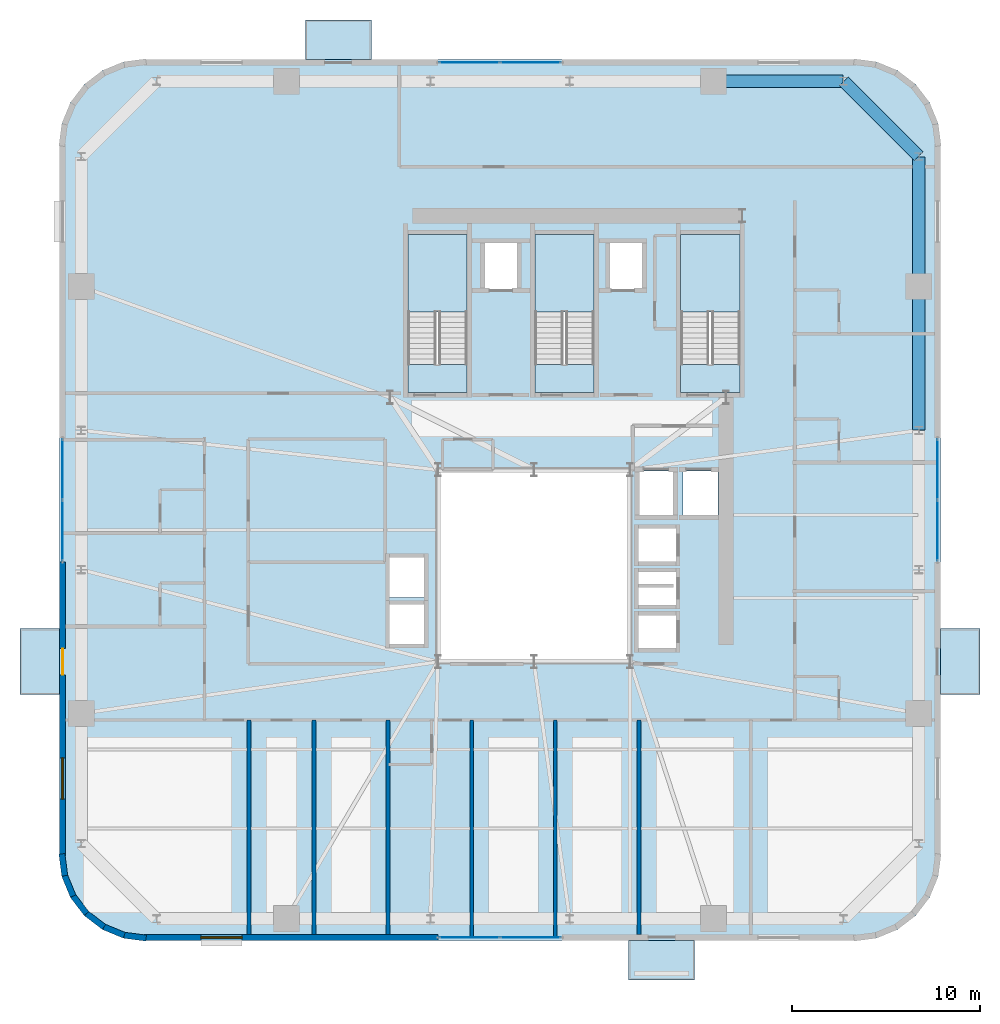
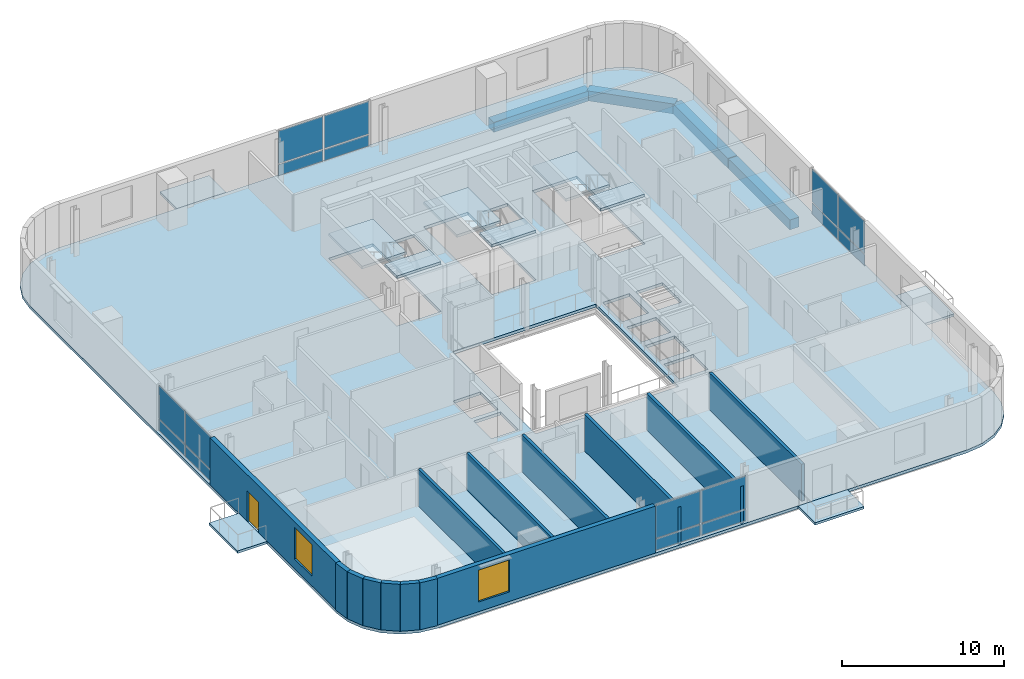
# One storey, part 6 of 12: 16 plates, 14 walls, 11 slabs, 4 beams, 2 windows, 1 door, 3 openings, 7 elements without a shape of their own.
"""IFC4 building model written with IfcOpenShell, lengths in metres."""

import ifcopenshell
import ifcopenshell.guid

model = None  # the IFC model being written
_history = None  # IfcOwnerHistory: only IFC2X3 demands one
_inside = {}  # id of a spatial element -> (the spatial element, [elements in it])
_under = {}  # id of a project, library or spatial element -> (it, [spatial elements below it])
_declared = {}  # id of a project -> (the project, [libraries it declares])
_typed = {}  # id of a type object -> (the type object, [elements of that type])
_made_of = {}  # id of a material, layer set ... -> (it, [elements and type objects made of it])


def new_model(schema):
    """Start an empty IFC model of exactly this schema.

    Asked for "IFC4X3", IfcOpenShell would pick the latest addendum, in which some entities
    have other attributes; the version numbers below select the first issue.
    IFC2X3 requires an IfcOwnerHistory on every rooted entity: one is made here for all.
    """
    global model, _history
    if schema == "IFC4X3":
        model = ifcopenshell.file(schema_version=(4, 3, 0, 0))
    else:
        model = ifcopenshell.file(schema=schema)
    _inside.clear()
    _under.clear()
    _declared.clear()
    _typed.clear()
    _made_of.clear()
    _history = None
    if model.schema == "IFC2X3":
        org = make("IfcOrganization", Name="unknown")
        user = make(
            "IfcPersonAndOrganization",
            ThePerson=make("IfcPerson", FamilyName="unknown"),
            TheOrganization=org,
        )
        app = make(
            "IfcApplication",
            ApplicationDeveloper=org,
            Version="unknown",
            ApplicationFullName="unknown",
            ApplicationIdentifier="unknown",
        )
        _history = make(
            "IfcOwnerHistory",
            OwningUser=user,
            OwningApplication=app,
            ChangeAction="ADDED",
            CreationDate=0,
        )
    return model


def make(cls, **values):
    """One entity of the class cls with the attributes given. An attribute that is None is left unset."""
    return model.create_entity(
        cls, **{name: value for name, value in values.items() if value is not None}
    )


def rooted(cls, **values):
    """An entity with a GlobalId (a new one), such as an element, a storey or a relation."""
    return make(cls, GlobalId=ifcopenshell.guid.new(), OwnerHistory=_history, **values)


def si_unit(unit_type, name, prefix=None):
    """IfcSIUnit, for example si_unit("LENGTHUNIT", "METRE", prefix="MILLI")."""
    return make("IfcSIUnit", UnitType=unit_type, Prefix=prefix, Name=name)


def assignment(units):
    """IfcUnitAssignment: the units of a project."""
    return None if units is None else make("IfcUnitAssignment", Units=units)


def point(xyz):
    """IfcCartesianPoint."""
    return None if xyz is None else make("IfcCartesianPoint", Coordinates=xyz)


def direction(xyz):
    """IfcDirection."""
    return None if xyz is None else make("IfcDirection", DirectionRatios=xyz)


def frame(location, z_axis=None, x_axis=None):
    """IfcAxis2Placement3D, a coordinate frame: its origin and axes. An axis left out is left unset."""
    return make(
        "IfcAxis2Placement3D",
        Location=point(location),
        Axis=direction(z_axis),
        RefDirection=direction(x_axis),
    )


def frame_2d(location, x_axis=None):
    """IfcAxis2Placement2D, a coordinate frame in the plane: its origin and x axis."""
    return make(
        "IfcAxis2Placement2D", Location=point(location), RefDirection=direction(x_axis)
    )


def origin():
    """The frame at (0, 0, 0) with its axes left unset."""
    return frame((0.0, 0.0, 0.0))


def origin_2d():
    """The frame at (0, 0) in the plane with its x axis left unset."""
    return frame_2d((0.0, 0.0))


def place(relative_to, where):
    """IfcLocalPlacement: puts the frame where relative to a parent placement (None: the world)."""
    return make(
        "IfcLocalPlacement", PlacementRelTo=relative_to, RelativePlacement=where
    )


def context(
    kind, dimensions, precision=None, world=None, true_north=None, identifier=None
):
    """IfcGeometricRepresentationContext, for example the 3D "Model" context."""
    return make(
        "IfcGeometricRepresentationContext",
        ContextIdentifier=identifier,
        ContextType=kind,
        CoordinateSpaceDimension=dimensions,
        Precision=precision,
        WorldCoordinateSystem=world,
        TrueNorth=true_north,
    )


def subcontext(parent, identifier, kind, view, scale=None):
    """IfcGeometricRepresentationSubContext, for example "Body" below "Model"."""
    return make(
        "IfcGeometricRepresentationSubContext",
        ContextIdentifier=identifier,
        ContextType=kind,
        ParentContext=parent,
        TargetScale=scale,
        TargetView=view,
    )


def project(units=None, contexts=None):
    """IfcProject with its units and contexts."""
    return rooted(
        "IfcProject",
        Name="project",
        RepresentationContexts=contexts,
        UnitsInContext=assignment(units),
    )


def spatial(cls, under=None, at=None, **own):
    """A site, building, storey or space (cls), placed at a placement, below another one or the project."""
    s = rooted(cls, ObjectPlacement=at, **own)
    if under is not None:
        _under.setdefault(under.id(), (under, []))[1].append(s)
    return s


def polyline(points):
    """IfcPolyline through the points."""
    return make("IfcPolyline", Points=[point(p) for p in points])


def profile(cls, at=None, kind="AREA", **sizes):
    """A parametric profile (cls). Its sizes go by their IFC names, for example OverallWidth=200.0."""
    return make(cls, ProfileType=kind, Position=at, **sizes)


def rectangle(**sizes):
    """IfcRectangleProfileDef."""
    return profile("IfcRectangleProfileDef", **sizes)


def outline(outer, holes=None, kind="AREA"):
    """IfcArbitraryClosedProfileDef: a profile drawn as a closed curve; with holes, ...WithVoids."""
    if holes is None:
        return make("IfcArbitraryClosedProfileDef", ProfileType=kind, OuterCurve=outer)
    return make(
        "IfcArbitraryProfileDefWithVoids",
        ProfileType=kind,
        OuterCurve=outer,
        InnerCurves=holes,
    )


def extrude(swept, where, along, depth):
    """IfcExtrudedAreaSolid: the profile swept, set in the frame where, extruded along a direction by depth."""
    return make(
        "IfcExtrudedAreaSolid",
        SweptArea=swept,
        Position=where,
        ExtrudedDirection=direction(along),
        Depth=depth,
    )


def shape(context_of_items, identifier, shape_type, items):
    """IfcShapeRepresentation: the items that make up one representation, for example the "Body"."""
    return make(
        "IfcShapeRepresentation",
        ContextOfItems=context_of_items,
        RepresentationIdentifier=identifier,
        RepresentationType=shape_type,
        Items=items,
    )


def source(mapping_origin, context_of_items, identifier, shape_type, items):
    """IfcRepresentationMap: a shape defined once, which mapped items show again and again."""
    return make(
        "IfcRepresentationMap",
        MappingOrigin=mapping_origin,
        MappedRepresentation=shape(context_of_items, identifier, shape_type, items),
    )


def transform(
    local_origin,
    x_axis=None,
    y_axis=None,
    z_axis=None,
    scale=None,
    scale2=None,
    scale3=None,
    uniform=True,
):
    """IfcCartesianTransformationOperator3D, or its non-uniform kind. x_axis, y_axis, z_axis: its Axis1, 2, 3."""
    if uniform:
        return make(
            "IfcCartesianTransformationOperator3D",
            Axis1=direction(x_axis),
            Axis2=direction(y_axis),
            LocalOrigin=point(local_origin),
            Scale=scale,
            Axis3=direction(z_axis),
        )
    return make(
        "IfcCartesianTransformationOperator3DnonUniform",
        Axis1=direction(x_axis),
        Axis2=direction(y_axis),
        LocalOrigin=point(local_origin),
        Scale=scale,
        Axis3=direction(z_axis),
        Scale2=scale2,
        Scale3=scale3,
    )


def mapped(mapping_source, mapping_target):
    """IfcMappedItem: shows the shape of a source again, moved by a transform."""
    return make(
        "IfcMappedItem", MappingSource=mapping_source, MappingTarget=mapping_target
    )


def material(Name=None, Category=None):
    """IfcMaterial."""
    return make("IfcMaterial", Name=Name, Category=Category)


def layer(
    of_material, thickness, ventilated=None, Name=None, Category=None, Priority=None
):
    """IfcMaterialLayer: one layer of a wall or slab, of a material (None: an air gap)."""
    return make(
        "IfcMaterialLayer",
        Material=of_material,
        LayerThickness=thickness,
        IsVentilated=ventilated,
        Name=Name,
        Category=Category,
        Priority=Priority,
    )


def layer_set(layers, Name=None):
    """IfcMaterialLayerSet."""
    return make("IfcMaterialLayerSet", MaterialLayers=layers, LayerSetName=Name)


def material_profile(
    of_material, cross_section, Name=None, Category=None, Priority=None
):
    """IfcMaterialProfile: a cross section and its material."""
    return make(
        "IfcMaterialProfile",
        Name=Name,
        Material=of_material,
        Profile=cross_section,
        Priority=Priority,
        Category=Category,
    )


def profile_set(profiles, Name=None, composite=None):
    """IfcMaterialProfileSet."""
    return make(
        "IfcMaterialProfileSet",
        Name=Name,
        MaterialProfiles=profiles,
        CompositeProfile=composite,
    )


def made_of(thing, what):
    """Note that an element or type object is made of a material, layer set ...; save() writes the relation."""
    if what is not None:
        _made_of.setdefault(what.id(), (what, []))[1].append(thing)
    return thing


def type_object(cls, material=None, **own):
    """A type object (cls), such as IfcWallType, which elements share."""
    return made_of(rooted(cls, **own), material)


def element(
    cls,
    number,
    at=None,
    inside=None,
    cuts=None,
    type_object=None,
    material=None,
    context=None,
    identifier="Body",
    shape_type=None,
    held_by="IfcProductDefinitionShape",
    body=None,
    shapes=None,
    **own,
):
    """One element of the class cls, such as IfcWall. Its Tag is "e" and its number.

    at: its placement. inside: the storey or other place that contains it. cuts: it is an
    opening in that element (IfcRelVoidsElement). A single representation is given by context,
    identifier, shape_type and body (its items); several are given by shapes. held_by: the class
    of the entity that holds the representations. save() writes the other relations.
    """
    e = rooted(cls, Tag="e%d" % number, ObjectPlacement=at, **own)
    if body is not None:
        shapes = [shape(context, identifier, shape_type, body)]
    if shapes is not None:
        e.Representation = make(held_by, Representations=shapes)
    if inside is not None:
        _inside.setdefault(inside.id(), (inside, []))[1].append(e)
    if cuts is not None:
        rooted(
            "IfcRelVoidsElement", RelatingBuildingElement=cuts, RelatedOpeningElement=e
        )
    if type_object is not None:
        _typed.setdefault(type_object.id(), (type_object, []))[1].append(e)
    return made_of(e, material)


def fill(opening, filler):
    """IfcRelFillsElement: the door or window that sits in an opening."""
    return rooted(
        "IfcRelFillsElement",
        RelatingOpeningElement=opening,
        RelatedBuildingElement=filler,
    )


def aggregate(whole, parts):
    """IfcRelAggregates: a whole, such as a stair, and the parts it consists of."""
    return rooted("IfcRelAggregates", RelatingObject=whole, RelatedObjects=parts)


def save(model, path):
    """Write the relations noted so far, then the file.

    IfcRelAggregates (storeys below a building ...), IfcRelContainedInSpatialStructure (elements
    in a storey), IfcRelDefinesByType, IfcRelAssociatesMaterial and IfcRelDeclares: one each for
    every whole, place, type object, material and project.
    """
    for whole, parts in _under.values():
        aggregate(whole, parts)
    for where, things in _inside.values():
        rooted(
            "IfcRelContainedInSpatialStructure",
            RelatedElements=things,
            RelatingStructure=where,
        )
    for kind, things in _typed.values():
        rooted("IfcRelDefinesByType", RelatedObjects=things, RelatingType=kind)
    for what, things in _made_of.values():
        rooted("IfcRelAssociatesMaterial", RelatedObjects=things, RelatingMaterial=what)
    for by, libraries in _declared.values():
        rooted("IfcRelDeclares", RelatingContext=by, RelatedDefinitions=libraries)
    model.write(path)


model = new_model("IFC4")

# Units and contexts
model_context = context("Model", 3, precision=1e-05, world=origin(), true_north=direction((0.0, 1.0)))
body_context = subcontext(model_context, "Body", "Model", "MODEL_VIEW")
ifc_project = project(units=[si_unit("LENGTHUNIT", "METRE"), si_unit("AREAUNIT", "SQUARE_METRE"), si_unit("VOLUMEUNIT", "CUBIC_METRE"), si_unit("PLANEANGLEUNIT", "RADIAN"), si_unit("MASSUNIT", "GRAM", prefix="KILO")], contexts=[model_context])

# Site, building, storey
site_placement = place(None, origin())
site = spatial("IfcSite", under=ifc_project, at=site_placement, CompositionType="ELEMENT")
building_placement = place(site_placement, origin())
building = spatial("IfcBuilding", under=site, at=building_placement, Name="Vardaveli Station Tower", CompositionType="ELEMENT")
storey_placement = place(building_placement, frame((0.0, 0.0, 214.800048828125)))
storey = spatial("IfcBuildingStorey", under=building, at=storey_placement, Name="L55", CompositionType="ELEMENT", Elevation=214.800048828125)

# Beams
ifc_material_1 = material(Name="Precast concrete C45/55", Category="concrete")
ifc_material_profile = material_profile(ifc_material_1, rectangle(XDim=0.64990234375, YDim=0.75, at=origin_2d()), Name="LPB 650x750")
ifc_profile_set = profile_set([ifc_material_profile], Name="Precast concrete C45/55")
beam_type = type_object("IfcBeamType", Name="BM-LPB-750", PredefinedType="BEAM", material=ifc_profile_set)
shared_shape_1 = source(origin(), body_context, "Body", "SweptSolid", [
    extrude(rectangle(XDim=0.64990234375, YDim=0.75, at=origin_2d()), origin(), (0.0, 0.0, 1.0), 7.60009765625),
])
beam_1_placement = place(storey_placement, frame((56.75, 28.919921875, -0.594970703125), z_axis=(0.0, 1.0, 0.0), x_axis=(-1.0, 0.0, 0.0)))
element("IfcBeam", 1, at=beam_1_placement, inside=storey, type_object=beam_type, Name="RBM-L55-09", PredefinedType="BEAM", context=body_context, shape_type="MappedRepresentation", body=[
    mapped(shared_shape_1, transform((0.0, 0.0, 0.0), scale=1.0)),
])
shared_shape_2 = source(origin(), body_context, "Body", "SweptSolid", [
    extrude(rectangle(XDim=0.64990234375, YDim=0.75, at=origin_2d()), origin(), (0.0, 0.0, 1.0), 6.869873046875),
])
for number, where, z_axis, x_axis, name in (
    (2, (56.75, 36.56005859375, -0.594970703125), (0.0, 1.0, 0.0), (-1.0, 0.0, 0.0), "RBM-L55-10"),
    (3, (52.72998046875, 47.449951171875, -0.594970703125), (-1.0, 0.0, 0.0), (0.0, -1.0, 0.0), "RBM-L55-12"),
):
    element("IfcBeam", number, at=place(storey_placement, frame(where, z_axis=z_axis, x_axis=x_axis)), inside=storey, type_object=beam_type, Name=name, PredefinedType="BEAM", context=body_context, shape_type="MappedRepresentation", body=[
        mapped(shared_shape_2, transform((0.0, 0.0, 0.0), scale=1.0)),
    ])
shared_shape_3 = source(origin(), body_context, "Body", "SweptSolid", [
    extrude(rectangle(XDim=0.64990234375, YDim=0.75, at=origin_2d()), origin(), (0.0, 0.0, 1.0), 5.61669921875),
])
beam_2_placement = place(storey_placement, frame((56.73583984375, 43.464111328125, -0.594970703125), z_axis=(-0.707106781187, 0.707106781187, 0.0), x_axis=(-0.707106781187, -0.707106781187, 0.0)))
element("IfcBeam", 4, at=beam_2_placement, inside=storey, type_object=beam_type, Name="RBM-L55-11", PredefinedType="BEAM", context=body_context, shape_type="MappedRepresentation", body=[
    mapped(shared_shape_3, transform((0.0, 0.0, 0.0), scale=1.0)),
])

# Stair, slabs
ifc_material_2 = material(Name="Concrete C40/50", Category="concrete")
stair_type = type_object("IfcStairType", Name="STR-CORE-1500", PredefinedType="HALF_TURN_STAIR", material=ifc_material_2)
stair_1_placement = place(storey_placement, origin())
stair_1 = element("IfcStair", 5, at=stair_1_placement, inside=storey, type_object=stair_type, Name="L55 ST-1", PredefinedType="HALF_TURN_STAIR")
ifc_layer_1 = layer(ifc_material_2, 0.199951171875, Name="Concrete C40/50")
ifc_layer_set_1 = layer_set([ifc_layer_1], Name="Concrete C40/50")
slab_type_1 = type_object("IfcSlabType", Name="SLB-LAND-200", PredefinedType="LANDING", material=ifc_layer_set_1)
slab_1_placement = place(storey_placement, frame((0.0, 0.0, 1.675048828125)))
slab_1 = element("IfcSlab", 6, at=slab_1_placement, type_object=slab_type_1, Name="ST-1 landing 1", PredefinedType="LANDING", context=body_context, shape_type="SweptSolid", body=[
    extrude(outline(polyline([(32.75, 35.199951171875), (32.75, 39.300048828125), (29.60009765625, 39.300048828125), (29.60009765625, 35.199951171875), (32.75, 35.199951171875)])), origin(), (0.0, 0.0, 1.0), 0.199951171875),
])
slab_2_placement = place(storey_placement, frame((0.0, 0.0, 3.550048828125)))
slab_2 = element("IfcSlab", 7, at=slab_2_placement, type_object=slab_type_1, Name="ST-1 landing 2", PredefinedType="LANDING", context=body_context, shape_type="SweptSolid", body=[
    extrude(outline(polyline([(32.75, 30.89990234375), (32.75, 32.39990234375), (29.60009765625, 32.39990234375), (29.60009765625, 30.89990234375), (32.75, 30.89990234375)])), origin(), (0.0, 0.0, 1.0), 0.199951171875),
])
aggregate(stair_1, [slab_1, slab_2])

stair_2_placement = place(storey_placement, origin())
stair_2 = element("IfcStair", 8, at=stair_2_placement, inside=storey, type_object=stair_type, Name="L55 ST-2", PredefinedType="HALF_TURN_STAIR")
slab_3_placement = place(storey_placement, frame((0.0, 0.0, 1.675048828125)))
slab_3 = element("IfcSlab", 9, at=slab_3_placement, type_object=slab_type_1, Name="ST-2 landing 1", PredefinedType="LANDING", context=body_context, shape_type="SweptSolid", body=[
    extrude(outline(polyline([(39.5, 35.199951171875), (39.5, 39.300048828125), (36.35009765625, 39.300048828125), (36.35009765625, 35.199951171875), (39.5, 35.199951171875)])), origin(), (0.0, 0.0, 1.0), 0.199951171875),
])
slab_4_placement = place(storey_placement, frame((0.0, 0.0, 3.550048828125)))
slab_4 = element("IfcSlab", 10, at=slab_4_placement, type_object=slab_type_1, Name="ST-2 landing 2", PredefinedType="LANDING", context=body_context, shape_type="SweptSolid", body=[
    extrude(outline(polyline([(39.5, 30.89990234375), (39.5, 32.39990234375), (36.35009765625, 32.39990234375), (36.35009765625, 30.89990234375), (39.5, 30.89990234375)])), origin(), (0.0, 0.0, 1.0), 0.199951171875),
])
aggregate(stair_2, [slab_3, slab_4])

stair_3_placement = place(storey_placement, origin())
stair_3 = element("IfcStair", 11, at=stair_3_placement, inside=storey, type_object=stair_type, Name="L55 ST-3", PredefinedType="HALF_TURN_STAIR")
slab_5_placement = place(storey_placement, frame((0.0, 0.0, 1.675048828125)))
slab_5 = element("IfcSlab", 12, at=slab_5_placement, type_object=slab_type_1, Name="ST-3 landing 1", PredefinedType="LANDING", context=body_context, shape_type="SweptSolid", body=[
    extrude(outline(polyline([(47.25, 35.199951171875), (47.25, 39.300048828125), (44.10009765625, 39.300048828125), (44.10009765625, 35.199951171875), (47.25, 35.199951171875)])), origin(), (0.0, 0.0, 1.0), 0.199951171875),
])
slab_6_placement = place(storey_placement, frame((0.0, 0.0, 3.550048828125)))
slab_6 = element("IfcSlab", 13, at=slab_6_placement, type_object=slab_type_1, Name="ST-3 landing 2", PredefinedType="LANDING", context=body_context, shape_type="SweptSolid", body=[
    extrude(outline(polyline([(47.25, 30.89990234375), (47.25, 32.39990234375), (44.10009765625, 32.39990234375), (44.10009765625, 30.89990234375), (47.25, 30.89990234375)])), origin(), (0.0, 0.0, 1.0), 0.199951171875),
])
aggregate(stair_3, [slab_5, slab_6])

# Slabs
ifc_layer_2 = layer(ifc_material_1, 0.179931640625, Name="Precast concrete C45/55")
ifc_layer_set_2 = layer_set([ifc_layer_2], Name="Precast concrete C45/55")
slab_type_2 = type_object("IfcSlabType", Name="SLB-LOGGIA-180", PredefinedType="FLOOR", material=ifc_layer_set_2)
slab_7_placement = place(storey_placement, frame((0.0, 0.0, -0.179931640625)))
element("IfcSlab", 14, at=slab_7_placement, inside=storey, type_object=slab_type_2, Name="LOG-L55-S", PredefinedType="FLOOR", context=body_context, shape_type="SweptSolid", body=[
    extrude(outline(polyline([(41.339599609375, -0.300048828125), (44.839599609375, -0.300048828125), (44.839599609375, 1.800048828125), (41.339599609375, 1.800048828125), (41.339599609375, -0.300048828125)])), origin(), (0.0, 0.0, 1.0), 0.179931640625),
])
slab_8_placement = place(storey_placement, frame((0.0, 0.0, -0.179931640625)))
element("IfcSlab", 15, at=slab_8_placement, inside=storey, type_object=slab_type_2, Name="LOG-L55-N", PredefinedType="FLOOR", context=body_context, shape_type="SweptSolid", body=[
    extrude(outline(polyline([(24.160400390625, 48.60009765625), (27.660400390625, 48.60009765625), (27.660400390625, 50.699951171875), (24.160400390625, 50.699951171875), (24.160400390625, 48.60009765625)])), origin(), (0.0, 0.0, 1.0), 0.179931640625),
])
slab_9_placement = place(storey_placement, frame((0.0, 0.0, -0.179931640625)))
element("IfcSlab", 16, at=slab_9_placement, inside=storey, type_object=slab_type_2, Name="LOG-L55-W", PredefinedType="FLOOR", context=body_context, shape_type="SweptSolid", body=[
    extrude(outline(polyline([(9.0, 14.8603515625), (11.10009765625, 14.8603515625), (11.10009765625, 18.3603515625), (9.0, 18.3603515625), (9.0, 14.8603515625)])), origin(), (0.0, 0.0, 1.0), 0.179931640625),
])
slab_10_placement = place(storey_placement, frame((0.0, 0.0, -0.179931640625)))
element("IfcSlab", 17, at=slab_10_placement, inside=storey, type_object=slab_type_2, Name="LOG-L55-E", PredefinedType="FLOOR", context=body_context, shape_type="SweptSolid", body=[
    extrude(outline(polyline([(57.89990234375, 14.8603515625), (60.0, 14.8603515625), (60.0, 18.3603515625), (57.89990234375, 18.3603515625), (57.89990234375, 14.8603515625)])), origin(), (0.0, 0.0, 1.0), 0.179931640625),
])
ifc_layer_3 = layer(ifc_material_2, 0.219970703125, Name="Concrete C40/50")
ifc_layer_set_3 = layer_set([ifc_layer_3], Name="Concrete C40/50")
slab_type_3 = type_object("IfcSlabType", Name="SLB-TOW-220", PredefinedType="FLOOR", material=ifc_layer_set_3)
slab_11_placement = place(storey_placement, frame((0.0, 0.0, -0.219970703125)))
element("IfcSlab", 18, at=slab_11_placement, inside=storey, type_object=slab_type_3, Name="SLB-L55-MAIN", PredefinedType="FLOOR", context=body_context, shape_type="SweptSolid", body=[
    extrude(outline(polyline([(11.10009765625, 6.300048828125), (11.25341796875, 5.13525390625), (11.702880859375, 4.050048828125), (12.41796875, 3.117919921875), (13.35009765625, 2.40283203125), (14.435302734375, 1.953369140625), (15.60009765625, 1.800048828125), (53.39990234375, 1.800048828125), (54.564697265625, 1.953369140625), (55.64990234375, 2.40283203125), (56.58203125, 3.117919921875), (57.297119140625, 4.050048828125), (57.74658203125, 5.13525390625), (57.89990234375, 6.300048828125), (57.89990234375, 44.10009765625), (57.74658203125, 45.2646484375), (57.297119140625, 46.35009765625), (56.58203125, 47.281982421875), (55.64990234375, 47.9970703125), (54.564697265625, 48.44677734375), (53.39990234375, 48.60009765625), (15.60009765625, 48.60009765625), (14.435302734375, 48.44677734375), (13.35009765625, 47.9970703125), (12.41796875, 47.281982421875), (11.702880859375, 46.35009765625), (11.25341796875, 45.2646484375), (11.10009765625, 44.10009765625), (11.10009765625, 6.300048828125)]), holes=[polyline([(31.199951171875, 16.60009765625), (41.39990234375, 16.60009765625), (41.39990234375, 26.800048828125), (31.199951171875, 26.800048828125), (31.199951171875, 16.60009765625)]), polyline([(32.75, 30.89990234375), (32.75, 39.300048828125), (29.60009765625, 39.300048828125), (29.60009765625, 30.89990234375), (32.75, 30.89990234375)]), polyline([(39.5, 30.89990234375), (39.5, 39.300048828125), (36.35009765625, 39.300048828125), (36.35009765625, 30.89990234375), (39.5, 30.89990234375)]), polyline([(47.25, 30.89990234375), (47.25, 39.300048828125), (44.10009765625, 39.300048828125), (44.10009765625, 30.89990234375), (47.25, 30.89990234375)]), polyline([(33.659912109375, 36.409912109375), (35.43994140625, 36.409912109375), (35.43994140625, 38.889892578125), (33.659912109375, 38.889892578125), (33.659912109375, 36.409912109375)]), polyline([(40.31005859375, 36.409912109375), (42.090087890625, 36.409912109375), (42.090087890625, 38.889892578125), (40.31005859375, 38.889892578125), (40.31005859375, 36.409912109375)]), polyline([(41.81005859375, 21.885009765625), (43.889892578125, 21.885009765625), (43.889892578125, 23.715087890625), (41.81005859375, 23.715087890625), (41.81005859375, 21.885009765625)]), polyline([(41.81005859375, 19.5849609375), (43.889892578125, 19.5849609375), (43.889892578125, 21.4150390625), (41.81005859375, 21.4150390625), (41.81005859375, 19.5849609375)]), polyline([(41.81005859375, 17.284912109375), (43.889892578125, 17.284912109375), (43.889892578125, 19.114990234375), (41.81005859375, 19.114990234375), (41.81005859375, 17.284912109375)]), polyline([(28.5849609375, 17.510009765625), (30.514892578125, 17.510009765625), (30.514892578125, 19.68994140625), (28.5849609375, 19.68994140625), (28.5849609375, 17.510009765625)]), polyline([(28.5849609375, 20.010009765625), (30.514892578125, 20.010009765625), (30.514892578125, 22.18994140625), (28.5849609375, 22.18994140625), (28.5849609375, 20.010009765625)]), polyline([(41.860107421875, 24.360107421875), (43.739990234375, 24.360107421875), (43.739990234375, 26.739990234375), (41.860107421875, 26.739990234375), (41.860107421875, 24.360107421875)]), polyline([(44.2099609375, 24.360107421875), (46.090087890625, 24.360107421875), (46.090087890625, 26.739990234375), (44.2099609375, 26.739990234375), (44.2099609375, 24.360107421875)])]), origin(), (0.0, 0.0, 1.0), 0.219970703125),
])

# Curtain wall, plates
ifc_material_3 = material(Name="Travertine stone and solar-control glass", Category="masonry")
curtain_wall_type = type_object("IfcCurtainWallType", Name="CW-SYS-5", PredefinedType="NOTDEFINED", material=ifc_material_3)
curtain_wall_1_placement = place(storey_placement, origin())
curtain_wall_1 = element("IfcCurtainWall", 19, at=curtain_wall_1_placement, inside=storey, type_object=curtain_wall_type, Name="CW-L55-S", PredefinedType="NOTDEFINED")
ifc_material_4 = material(Name="Double-glazed low-E solar-control glass", Category="glass")
ifc_layer_4 = layer(ifc_material_4, 0.031982421875, Name="Double-glazed low-E solar-control glass")
ifc_layer_set_4 = layer_set([ifc_layer_4], Name="Double-glazed low-E solar-control glass")
plate_type = type_object("IfcPlateType", Name="CW-SYS-5-PAN", PredefinedType="CURTAIN_PANEL", material=ifc_layer_set_4)
shared_shape_4 = source(origin(), body_context, "Body", "SweptSolid", [
    extrude(rectangle(XDim=3.179931640625, YDim=0.031982421875, at=origin_2d()), origin(), (0.0, 0.0, 1.0), 0.830078125),
])
plate_1_placement = place(storey_placement, frame((32.8701171875, 1.9599609375, 0.079833984375), z_axis=(0.0, 0.0, 1.0), x_axis=(1.0, 0.0, 0.0)))
plate_1 = element("IfcPlate", 20, at=plate_1_placement, type_object=plate_type, Name="CW-5 panel 1.1", PredefinedType="CURTAIN_PANEL", context=body_context, shape_type="MappedRepresentation", body=[
    mapped(shared_shape_4, transform((0.0, 0.0, 0.0), scale=1.0)),
])
plate_2_placement = place(storey_placement, frame((36.1298828125, 1.9599609375, 0.079833984375), z_axis=(0.0, 0.0, 1.0), x_axis=(1.0, 0.0, 0.0)))
plate_2 = element("IfcPlate", 21, at=plate_2_placement, type_object=plate_type, Name="CW-5 panel 2.1", PredefinedType="CURTAIN_PANEL", context=body_context, shape_type="MappedRepresentation", body=[
    mapped(shared_shape_4, transform((0.0, 0.0, 0.0), scale=1.0)),
])

curtain_wall_2_placement = place(storey_placement, origin())
curtain_wall_2 = element("IfcCurtainWall", 22, at=curtain_wall_2_placement, inside=storey, type_object=curtain_wall_type, Name="CW-L55-N", PredefinedType="NOTDEFINED")
plate_3_placement = place(storey_placement, frame((36.1298828125, 48.43994140625, 0.079833984375), z_axis=(0.0, 0.0, 1.0), x_axis=(-1.0, 0.0, 0.0)))
plate_3 = element("IfcPlate", 23, at=plate_3_placement, type_object=plate_type, Name="CW-5 panel 1.1", PredefinedType="CURTAIN_PANEL", context=body_context, shape_type="MappedRepresentation", body=[
    mapped(shared_shape_4, transform((0.0, 0.0, 0.0), scale=1.0)),
])
plate_4_placement = place(storey_placement, frame((32.8701171875, 48.43994140625, 0.079833984375), z_axis=(0.0, 0.0, 1.0), x_axis=(-1.0, 0.0, 0.0)))
plate_4 = element("IfcPlate", 24, at=plate_4_placement, type_object=plate_type, Name="CW-5 panel 2.1", PredefinedType="CURTAIN_PANEL", context=body_context, shape_type="MappedRepresentation", body=[
    mapped(shared_shape_4, transform((0.0, 0.0, 0.0), scale=1.0)),
])

curtain_wall_3_placement = place(storey_placement, origin())
curtain_wall_3 = element("IfcCurtainWall", 25, at=curtain_wall_3_placement, inside=storey, type_object=curtain_wall_type, Name="CW-L55-W", PredefinedType="NOTDEFINED")
plate_5_placement = place(storey_placement, frame((11.260009765625, 26.830078125, 0.079833984375), z_axis=(0.0, 0.0, 1.0), x_axis=(0.0, -1.0, 0.0)))
plate_5 = element("IfcPlate", 26, at=plate_5_placement, type_object=plate_type, Name="CW-5 panel 1.1", PredefinedType="CURTAIN_PANEL", context=body_context, shape_type="MappedRepresentation", body=[
    mapped(shared_shape_4, transform((0.0, 0.0, 0.0), scale=1.0)),
])
plate_6_placement = place(storey_placement, frame((11.260009765625, 23.570068359375, 0.079833984375), z_axis=(0.0, 0.0, 1.0), x_axis=(0.0, -1.0, 0.0)))
plate_6 = element("IfcPlate", 27, at=plate_6_placement, type_object=plate_type, Name="CW-5 panel 2.1", PredefinedType="CURTAIN_PANEL", context=body_context, shape_type="MappedRepresentation", body=[
    mapped(shared_shape_4, transform((0.0, 0.0, 0.0), scale=1.0)),
])

curtain_wall_4_placement = place(storey_placement, origin())
curtain_wall_4 = element("IfcCurtainWall", 28, at=curtain_wall_4_placement, inside=storey, type_object=curtain_wall_type, Name="CW-L55-E", PredefinedType="NOTDEFINED")
plate_7_placement = place(storey_placement, frame((57.739990234375, 23.570068359375, 0.079833984375), z_axis=(0.0, 0.0, 1.0), x_axis=(0.0, 1.0, 0.0)))
plate_7 = element("IfcPlate", 29, at=plate_7_placement, type_object=plate_type, Name="CW-5 panel 1.1", PredefinedType="CURTAIN_PANEL", context=body_context, shape_type="MappedRepresentation", body=[
    mapped(shared_shape_4, transform((0.0, 0.0, 0.0), scale=1.0)),
])
plate_8_placement = place(storey_placement, frame((57.739990234375, 26.830078125, 0.079833984375), z_axis=(0.0, 0.0, 1.0), x_axis=(0.0, 1.0, 0.0)))
plate_8 = element("IfcPlate", 30, at=plate_8_placement, type_object=plate_type, Name="CW-5 panel 2.1", PredefinedType="CURTAIN_PANEL", context=body_context, shape_type="MappedRepresentation", body=[
    mapped(shared_shape_4, transform((0.0, 0.0, 0.0), scale=1.0)),
])

# Plate
shared_shape_5 = source(origin(), body_context, "Body", "SweptSolid", [
    extrude(rectangle(XDim=3.179931640625, YDim=0.031982421875, at=origin_2d()), origin(), (0.0, 0.0, 1.0), 2.4599609375),
])
plate_9_placement = place(storey_placement, frame((32.8701171875, 1.9599609375, 0.989990234375), z_axis=(0.0, 0.0, 1.0), x_axis=(1.0, 0.0, 0.0)))
plate_9 = element("IfcPlate", 31, at=plate_9_placement, type_object=plate_type, Name="CW-5 panel 1.2", PredefinedType="CURTAIN_PANEL", context=body_context, shape_type="MappedRepresentation", body=[
    mapped(shared_shape_5, transform((0.0, 0.0, 0.0), scale=1.0)),
])

plate_10_placement = place(storey_placement, frame((36.1298828125, 1.9599609375, 0.989990234375), z_axis=(0.0, 0.0, 1.0), x_axis=(1.0, 0.0, 0.0)))
plate_10 = element("IfcPlate", 32, at=plate_10_placement, type_object=plate_type, Name="CW-5 panel 2.2", PredefinedType="CURTAIN_PANEL", context=body_context, shape_type="MappedRepresentation", body=[
    mapped(shared_shape_5, transform((0.0, 0.0, 0.0), scale=1.0)),
])

aggregate(curtain_wall_1, [plate_1, plate_9, plate_2, plate_10])

plate_11_placement = place(storey_placement, frame((36.1298828125, 48.43994140625, 0.989990234375), z_axis=(0.0, 0.0, 1.0), x_axis=(-1.0, 0.0, 0.0)))
plate_11 = element("IfcPlate", 33, at=plate_11_placement, type_object=plate_type, Name="CW-5 panel 1.2", PredefinedType="CURTAIN_PANEL", context=body_context, shape_type="MappedRepresentation", body=[
    mapped(shared_shape_5, transform((0.0, 0.0, 0.0), scale=1.0)),
])

plate_12_placement = place(storey_placement, frame((32.8701171875, 48.43994140625, 0.989990234375), z_axis=(0.0, 0.0, 1.0), x_axis=(-1.0, 0.0, 0.0)))
plate_12 = element("IfcPlate", 34, at=plate_12_placement, type_object=plate_type, Name="CW-5 panel 2.2", PredefinedType="CURTAIN_PANEL", context=body_context, shape_type="MappedRepresentation", body=[
    mapped(shared_shape_5, transform((0.0, 0.0, 0.0), scale=1.0)),
])

aggregate(curtain_wall_2, [plate_3, plate_11, plate_4, plate_12])

plate_13_placement = place(storey_placement, frame((11.260009765625, 26.830078125, 0.989990234375), z_axis=(0.0, 0.0, 1.0), x_axis=(0.0, -1.0, 0.0)))
plate_13 = element("IfcPlate", 35, at=plate_13_placement, type_object=plate_type, Name="CW-5 panel 1.2", PredefinedType="CURTAIN_PANEL", context=body_context, shape_type="MappedRepresentation", body=[
    mapped(shared_shape_5, transform((0.0, 0.0, 0.0), scale=1.0)),
])

plate_14_placement = place(storey_placement, frame((11.260009765625, 23.570068359375, 0.989990234375), z_axis=(0.0, 0.0, 1.0), x_axis=(0.0, -1.0, 0.0)))
plate_14 = element("IfcPlate", 36, at=plate_14_placement, type_object=plate_type, Name="CW-5 panel 2.2", PredefinedType="CURTAIN_PANEL", context=body_context, shape_type="MappedRepresentation", body=[
    mapped(shared_shape_5, transform((0.0, 0.0, 0.0), scale=1.0)),
])

aggregate(curtain_wall_3, [plate_5, plate_13, plate_6, plate_14])

plate_15_placement = place(storey_placement, frame((57.739990234375, 23.570068359375, 0.989990234375), z_axis=(0.0, 0.0, 1.0), x_axis=(0.0, 1.0, 0.0)))
plate_15 = element("IfcPlate", 37, at=plate_15_placement, type_object=plate_type, Name="CW-5 panel 1.2", PredefinedType="CURTAIN_PANEL", context=body_context, shape_type="MappedRepresentation", body=[
    mapped(shared_shape_5, transform((0.0, 0.0, 0.0), scale=1.0)),
])

plate_16_placement = place(storey_placement, frame((57.739990234375, 26.830078125, 0.989990234375), z_axis=(0.0, 0.0, 1.0), x_axis=(0.0, 1.0, 0.0)))
plate_16 = element("IfcPlate", 38, at=plate_16_placement, type_object=plate_type, Name="CW-5 panel 2.2", PredefinedType="CURTAIN_PANEL", context=body_context, shape_type="MappedRepresentation", body=[
    mapped(shared_shape_5, transform((0.0, 0.0, 0.0), scale=1.0)),
])

aggregate(curtain_wall_4, [plate_7, plate_15, plate_8, plate_16])

# Wall, opening, window
ifc_layer_5 = layer(ifc_material_1, 0.320068359375, Name="Precast concrete C45/55")
ifc_layer_set_5 = layer_set([ifc_layer_5], Name="Precast concrete C45/55")
wall_type_1 = type_object("IfcWallType", Name="WAL-EXT-STONE-320", PredefinedType="SOLIDWALL", material=ifc_layer_set_5)
shared_shape_6 = source(origin(), body_context, "Body", "SweptSolid", [
    extrude(rectangle(XDim=15.599853515625, YDim=0.320068359375, at=frame_2d((7.7998046875, 0.0))), origin(), (0.0, 0.0, 1.0), 3.530029296875),
])
wall_1_placement = place(storey_placement, frame((15.60009765625, 1.9599609375, 0.0), z_axis=(0.0, 0.0, 1.0), x_axis=(1.0, 0.0, 0.0)))
wall_1 = element("IfcWall", 39, at=wall_1_placement, inside=storey, type_object=wall_type_1, Name="EW-L55-S1", PredefinedType="SOLIDWALL", context=body_context, shape_type="MappedRepresentation", body=[
    mapped(shared_shape_6, transform((0.0, 0.0, 0.0), scale=1.0)),
])
shared_shape_7 = source(origin(), body_context, "Body", "SweptSolid", [
    extrude(rectangle(XDim=2.199951171875, YDim=2.39990234375, at=frame_2d((1.10009765625, 1.199951171875))), frame((0.0, 0.169921875, 0.0), z_axis=(0.0, -1.0, 0.0), x_axis=(1.0, 0.0, 0.0)), (0.0, 0.0, 1.0), 0.340087890625),
])
opening_1_placement = place(wall_1_placement, frame((3.0048828125, 0.0, 0.719970703125)))
opening_1 = element("IfcOpeningElement", 40, at=opening_1_placement, cuts=wall_1, Name="Opening W-03", PredefinedType="OPENING", context=body_context, shape_type="MappedRepresentation", body=[
    mapped(shared_shape_7, transform((0.0, 0.0, 0.0), scale=1.0)),
])
ifc_material_5 = material(Name="Low-E solar-control glass", Category="glass")
window_type = type_object("IfcWindowType", Name="WIN-LOG-2200x2400", PartitioningType="SINGLE_PANEL", PredefinedType="WINDOW", material=ifc_material_5)
shared_shape_8 = source(origin(), body_context, "Body", "SweptSolid", [
    extrude(rectangle(XDim=2.199951171875, YDim=2.39990234375, at=frame_2d((1.10009765625, 1.199951171875))), frame((0.0, 0.030029296875, 0.0), z_axis=(0.0, -1.0, 0.0), x_axis=(1.0, 0.0, 0.0)), (0.0, 0.0, 1.0), 0.06005859375),
])
window_1_placement = place(opening_1_placement, origin())
window_1 = element("IfcWindow", 41, at=window_1_placement, inside=storey, type_object=window_type, Name="WN-L55-S1", OverallHeight=2.39990234375, OverallWidth=2.199951171875, PartitioningType="SINGLE_PANEL", PredefinedType="WINDOW", context=body_context, shape_type="MappedRepresentation", body=[
    mapped(shared_shape_8, transform((0.0, 0.0, 0.0), scale=1.0)),
])
fill(opening_1, window_1)

# Wall, openings, door, window
wall_2_placement = place(storey_placement, frame((11.260009765625, 21.89990234375, 0.0), z_axis=(0.0, 0.0, 1.0), x_axis=(0.0, -1.0, 0.0)))
wall_2 = element("IfcWall", 42, at=wall_2_placement, inside=storey, type_object=wall_type_1, Name="EW-L55-W2", PredefinedType="SOLIDWALL", context=body_context, shape_type="MappedRepresentation", body=[
    mapped(shared_shape_6, transform((0.0, 0.0, 0.0), scale=1.0)),
])
shared_shape_9 = source(origin(), body_context, "Body", "SweptSolid", [
    extrude(rectangle(XDim=1.39990234375, YDim=2.300048828125, at=frame_2d((0.699951171875, 1.14990234375))), frame((0.0, 0.169921875, 0.0), z_axis=(0.0, -1.0, 0.0), x_axis=(1.0, 0.0, 0.0)), (0.0, 0.0, 1.0), 0.340087890625),
])
opening_2_placement = place(wall_2_placement, frame((4.589599609375, 0.0, 0.0)))
opening_2 = element("IfcOpeningElement", 43, at=opening_2_placement, cuts=wall_2, Name="Opening D-09", PredefinedType="OPENING", context=body_context, shape_type="MappedRepresentation", body=[
    mapped(shared_shape_9, transform((0.0, 0.0, 0.0), scale=1.0)),
])
opening_3_placement = place(wall_2_placement, frame((10.39501953125, 0.0, 0.719970703125)))
opening_3 = element("IfcOpeningElement", 44, at=opening_3_placement, cuts=wall_2, Name="Opening W-03", PredefinedType="OPENING", context=body_context, shape_type="MappedRepresentation", body=[
    mapped(shared_shape_7, transform((0.0, 0.0, 0.0), scale=1.0)),
])
ifc_material_6 = material(Name="Thermally broken aluminium glass", Category="aluminium")
door_type = type_object("IfcDoorType", Name="DR-LOG-1400x2300", OperationType="DOUBLE_DOOR_SLIDING", PredefinedType="DOOR", material=ifc_material_6)
shared_shape_10 = source(origin(), body_context, "Body", "SweptSolid", [
    extrude(rectangle(XDim=1.39990234375, YDim=2.300048828125, at=frame_2d((0.699951171875, 1.14990234375))), frame((0.0, 0.02490234375, 0.0), z_axis=(0.0, -1.0, 0.0), x_axis=(1.0, 0.0, 0.0)), (0.0, 0.0, 1.0), 0.050048828125),
])
door_placement = place(opening_2_placement, frame((1.39990234375, 0.0, 0.0), z_axis=(0.0, 0.0, 1.0), x_axis=(-1.0, 0.0, 0.0)))
door = element("IfcDoor", 45, at=door_placement, inside=storey, type_object=door_type, Name="DLG-L55-W", OperationType="DOUBLE_DOOR_SLIDING", OverallHeight=2.300048828125, OverallWidth=1.39990234375, PredefinedType="DOOR", context=body_context, shape_type="MappedRepresentation", body=[
    mapped(shared_shape_10, transform((0.0, 0.0, 0.0), scale=1.0)),
])
fill(opening_2, door)
window_2_placement = place(opening_3_placement, origin())
window_2 = element("IfcWindow", 46, at=window_2_placement, inside=storey, type_object=window_type, Name="WN-L55-W2", OverallHeight=2.39990234375, OverallWidth=2.199951171875, PartitioningType="SINGLE_PANEL", PredefinedType="WINDOW", context=body_context, shape_type="MappedRepresentation", body=[
    mapped(shared_shape_8, transform((0.0, 0.0, 0.0), scale=1.0)),
])
fill(opening_3, window_2)

# Walls
shared_shape_11 = source(origin(), body_context, "Body", "SweptSolid", [
    extrude(rectangle(XDim=1.170654296875, YDim=0.320068359375, at=frame_2d((0.58544921875, 0.0))), origin(), (0.0, 0.0, 1.0), 3.530029296875),
])
wall_3_placement = place(storey_placement, frame((11.224365234375, 6.400634765625, 0.0), z_axis=(0.0, 0.0, 1.0), x_axis=(0.128269133229, -0.991739395941, 0.0)))
element("IfcWall", 47, at=wall_3_placement, inside=storey, type_object=wall_type_1, Name="EW-L55-CR1-1", PredefinedType="SOLIDWALL", context=body_context, shape_type="MappedRepresentation", body=[
    mapped(shared_shape_11, transform((0.0, 0.0, 0.0), scale=1.0)),
])
shared_shape_12 = source(origin(), body_context, "Body", "SweptSolid", [
    extrude(rectangle(XDim=1.1689453125, YDim=0.320068359375, at=frame_2d((0.58447265625, 0.0))), origin(), (0.0, 0.0, 1.0), 3.530029296875),
])
for number, where, z_axis, x_axis, name in (
    (48, (11.37451171875, 5.23974609375, 0.0), (0.0, 0.0, 1.0), (0.381127904695, -0.924522320046, 0.0), "EW-L55-CR1-2"),
    (49, (11.820068359375, 4.158935546875, 0.0), (0.0, 0.0, 1.0), (0.608387696831, -0.793639975269, 0.0), "EW-L55-CR1-3"),
):
    element("IfcWall", number, at=place(storey_placement, frame(where, z_axis=z_axis, x_axis=x_axis)), inside=storey, type_object=wall_type_1, Name=name, PredefinedType="SOLIDWALL", context=body_context, shape_type="MappedRepresentation", body=[
        mapped(shared_shape_12, transform((0.0, 0.0, 0.0), scale=1.0)),
    ])
shared_shape_13 = source(origin(), body_context, "Body", "SweptSolid", [
    extrude(rectangle(XDim=1.168701171875, YDim=0.320068359375, at=frame_2d((0.58447265625, 0.0))), origin(), (0.0, 0.0, 1.0), 3.530029296875),
])
wall_4_placement = place(storey_placement, frame((12.53125, 3.231201171875, 0.0), z_axis=(0.0, 0.0, 1.0), x_axis=(0.793663520347, -0.608356981114, 0.0)))
element("IfcWall", 50, at=wall_4_placement, inside=storey, type_object=wall_type_1, Name="EW-L55-CR1-4", PredefinedType="SOLIDWALL", context=body_context, shape_type="MappedRepresentation", body=[
    mapped(shared_shape_13, transform((0.0, 0.0, 0.0), scale=1.0)),
])
shared_shape_14 = source(origin(), body_context, "Body", "SweptSolid", [
    extrude(rectangle(XDim=1.16943359375, YDim=0.320068359375, at=frame_2d((0.584716796875, 0.0))), origin(), (0.0, 0.0, 1.0), 3.530029296875),
])
wall_5_placement = place(storey_placement, frame((13.458740234375, 2.520263671875, 0.0), z_axis=(0.0, 0.0, 1.0), x_axis=(0.924479075121, -0.381232789334, 0.0)))
element("IfcWall", 51, at=wall_5_placement, inside=storey, type_object=wall_type_1, Name="EW-L55-CR1-5", PredefinedType="SOLIDWALL", context=body_context, shape_type="MappedRepresentation", body=[
    mapped(shared_shape_14, transform((0.0, 0.0, 0.0), scale=1.0)),
])
shared_shape_15 = source(origin(), body_context, "Body", "SweptSolid", [
    extrude(rectangle(XDim=1.170166015625, YDim=0.320068359375, at=frame_2d((0.5849609375, 0.0))), origin(), (0.0, 0.0, 1.0), 3.530029296875),
])
wall_6_placement = place(storey_placement, frame((14.539794921875, 2.074462890625, 0.0), z_axis=(0.0, 0.0, 1.0), x_axis=(0.991762485493, -0.128090485085, 0.0)))
element("IfcWall", 52, at=wall_6_placement, inside=storey, type_object=wall_type_1, Name="EW-L55-CR1-6", PredefinedType="SOLIDWALL", context=body_context, shape_type="MappedRepresentation", body=[
    mapped(shared_shape_15, transform((0.0, 0.0, 0.0), scale=1.0)),
])
ifc_material_7 = material(Name="Acoustic twin-stud gypsum partition")
ifc_layer_6 = layer(ifc_material_7, 0.199951171875, Name="Acoustic twin-stud gypsum partition")
ifc_layer_set_6 = layer_set([ifc_layer_6], Name="Acoustic twin-stud gypsum partition")
wall_type_2 = type_object("IfcWallType", Name="WAL-PARTY-200", PredefinedType="PARTITIONING", material=ifc_layer_set_6)
shared_shape_16 = source(origin(), body_context, "Body", "SweptSolid", [
    extrude(rectangle(XDim=11.387939453125, YDim=0.199951171875, at=frame_2d((5.69384765625, 0.0))), origin(), (0.0, 0.0, 1.0), 2.77197265625),
])
for number, where, z_axis, x_axis, name in (
    (53, (21.169921875, 2.1220703125, 0.0), (0.0, 0.0, 1.0), (0.0, 1.0, 0.0), "W-L55-PS1"),
    (54, (24.6201171875, 2.1220703125, 0.0), (0.0, 0.0, 1.0), (0.0, 1.0, 0.0), "W-L55-PS2"),
    (55, (28.552978515625, 2.1220703125, 0.0), (0.0, 0.0, 1.0), (0.0, 1.0, 0.0), "W-L55-PS3"),
    (56, (41.8779296875, 2.1220703125, 0.0), (0.0, 0.0, 1.0), (0.0, 1.0, 0.0), "W-L55-PS6"),
):
    element("IfcWall", number, at=place(storey_placement, frame(where, z_axis=z_axis, x_axis=x_axis)), inside=storey, type_object=wall_type_2, Name=name, PredefinedType="PARTITIONING", context=body_context, shape_type="MappedRepresentation", body=[
        mapped(shared_shape_16, transform((0.0, 0.0, 0.0), scale=1.0)),
    ])
shared_shape_17 = source(origin(), body_context, "Body", "SweptSolid", [
    extrude(rectangle(XDim=11.580078125, YDim=0.199951171875, at=frame_2d((5.7900390625, 0.0))), origin(), (0.0, 0.0, 1.0), 2.77197265625),
])
for number, where, z_axis, x_axis, name in (
    (57, (32.9951171875, 1.929931640625, 0.0), (0.0, 0.0, 1.0), (0.0, 1.0, 0.0), "W-L55-PS4"),
    (58, (37.43701171875, 1.929931640625, 0.0), (0.0, 0.0, 1.0), (0.0, 1.0, 0.0), "W-L55-PS5"),
):
    element("IfcWall", number, at=place(storey_placement, frame(where, z_axis=z_axis, x_axis=x_axis)), inside=storey, type_object=wall_type_2, Name=name, PredefinedType="PARTITIONING", context=body_context, shape_type="MappedRepresentation", body=[
        mapped(shared_shape_17, transform((0.0, 0.0, 0.0), scale=1.0)),
    ])

save(model, "model.ifc")
